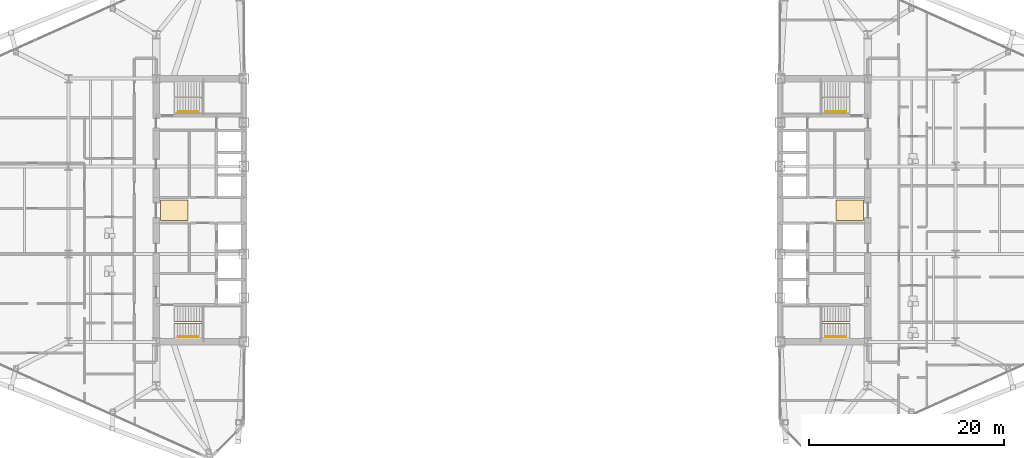
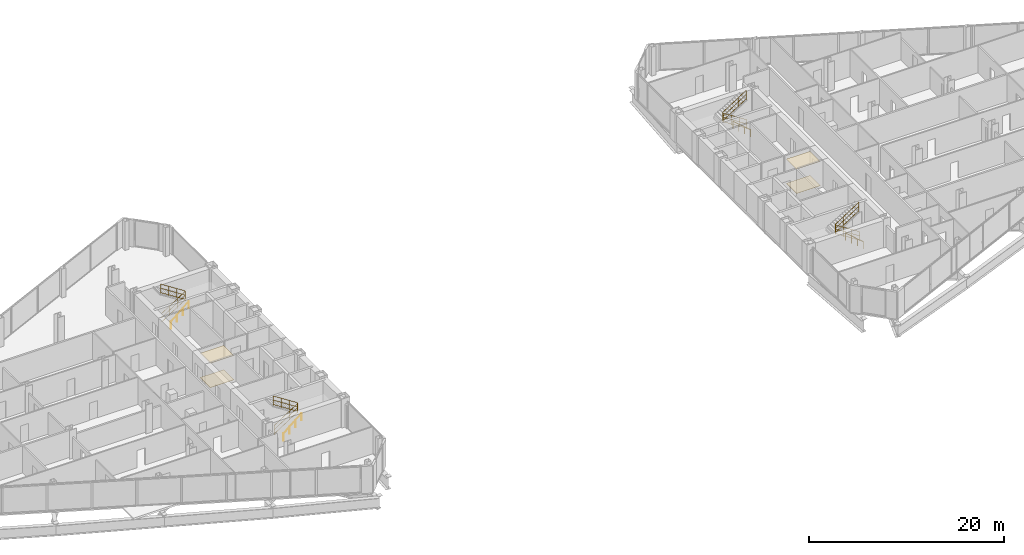
# One storey, part 28 of 29: 8 railings, 4 coverings.
"""IFC4 building model written with IfcOpenShell, lengths in metres."""

from ifc_helpers import new_model, si_unit, direction, frame, origin, origin_2d, place, context, subcontext, project, spatial, polyline, circle, outline, extrude, material, layer, layer_set, type_object, element, save


model = new_model("IFC4")

# Units and contexts
model_context = context("Model", 3, precision=1e-05, world=origin(), true_north=direction((0.0, 1.0)))
body_context = subcontext(model_context, "Body", "Model", "MODEL_VIEW")
ifc_project = project(units=[si_unit("LENGTHUNIT", "METRE"), si_unit("AREAUNIT", "SQUARE_METRE"), si_unit("VOLUMEUNIT", "CUBIC_METRE"), si_unit("PLANEANGLEUNIT", "RADIAN"), si_unit("MASSUNIT", "GRAM", prefix="KILO")], contexts=[model_context])

# Site, building, storey
site_placement = place(None, origin())
site = spatial("IfcSite", under=ifc_project, at=site_placement, CompositionType="ELEMENT")
building_placement = place(site_placement, origin())
building = spatial("IfcBuilding", under=site, at=building_placement, Name="Seokmaru Belvedere", CompositionType="ELEMENT")
storey_placement = place(building_placement, frame((0.0, 0.0, 62.10009765625)))
storey = spatial("IfcBuildingStorey", under=building, at=storey_placement, Name="L16", CompositionType="ELEMENT", Elevation=62.10009765625)

# Coverings
ifc_material_1 = material(Name="Engineered White Oak Timber", Category="wood")
ifc_layer_1 = layer(ifc_material_1, 0.02197265625)
ifc_layer_set_1 = layer_set([ifc_layer_1], Name="Engineered White Oak Timber")
covering_type_1 = type_object("IfcCoveringType", Name="Engineered Oak Residence Floor Finish 22", PredefinedType="FLOORING", material=ifc_layer_set_1)
covering_1_placement = place(storey_placement, origin())
element("IfcCovering", 1, at=covering_1_placement, inside=storey, type_object=covering_type_1, Name="L16 W Foyer Floor Finish", PredefinedType="FLOORING", context=body_context, shape_type="SweptSolid", body=[
    extrude(outline(polyline([(-36.050048828125, -1.050048828125), (-33.25, -1.050048828125), (-33.25, 1.050048828125), (-36.050048828125, 1.050048828125), (-36.050048828125, -1.050048828125)])), origin(), (0.0, 0.0, 1.0), 0.02197265625),
])
covering_2_placement = place(storey_placement, origin())
element("IfcCovering", 2, at=covering_2_placement, inside=storey, type_object=covering_type_1, Name="L16 E Foyer Floor Finish", PredefinedType="FLOORING", context=body_context, shape_type="SweptSolid", body=[
    extrude(outline(polyline([(33.25, -1.050048828125), (36.050048828125, -1.050048828125), (36.050048828125, 1.050048828125), (33.25, 1.050048828125), (33.25, -1.050048828125)])), origin(), (0.0, 0.0, 1.0), 0.02197265625),
])
ifc_material_2 = material(Name="Fire-Rated Gypsum Shaftwall")
ifc_layer_2 = layer(ifc_material_2, 0.02490234375)
ifc_layer_set_2 = layer_set([ifc_layer_2], Name="Fire-Rated Gypsum Shaftwall")
covering_type_2 = type_object("IfcCoveringType", Name="Perforated Acoustic Gypsum Suspended Ceiling 25", PredefinedType="CEILING", material=ifc_layer_set_2)
covering_3_placement = place(storey_placement, frame((0.0, 0.0, 3.02978515625)))
element("IfcCovering", 3, at=covering_3_placement, inside=storey, type_object=covering_type_2, Name="L16 W Lift Foyer Acoustic Ceiling", PredefinedType="CEILING", context=body_context, shape_type="SweptSolid", body=[
    extrude(outline(polyline([(-36.050048828125, -1.050048828125), (-33.25, -1.050048828125), (-33.25, 1.050048828125), (-36.050048828125, 1.050048828125), (-36.050048828125, -1.050048828125)])), origin(), (0.0, 0.0, 1.0), 0.025146484375),
])
covering_4_placement = place(storey_placement, frame((0.0, 0.0, 3.02978515625)))
element("IfcCovering", 4, at=covering_4_placement, inside=storey, type_object=covering_type_2, Name="L16 E Lift Foyer Acoustic Ceiling", PredefinedType="CEILING", context=body_context, shape_type="SweptSolid", body=[
    extrude(outline(polyline([(33.25, -1.050048828125), (36.050048828125, -1.050048828125), (36.050048828125, 1.050048828125), (33.25, 1.050048828125), (33.25, -1.050048828125)])), origin(), (0.0, 0.0, 1.0), 0.025146484375),
])

# Railings
ifc_material_3 = material(Name="Stainless Steel 316", Category="steel")
railing_type_1 = type_object("IfcRailingType", Name="Stainless Steel Wall and Flight Handrail 900", PredefinedType="HANDRAIL", material=ifc_material_3)
for number, where, name in (
    (5, (-34.25, -12.949951171875, 0.0), "L16 Stair ST-W1 Wall Handrail"),
    (6, (-34.25, 10.110107421875, 0.0), "L16 Stair ST-W2 Wall Handrail"),
):
    element("IfcRailing", number, at=place(storey_placement, frame(where)), inside=storey, type_object=railing_type_1, Name=name, PredefinedType="HANDRAIL", context=body_context, shape_type="SweptSolid", body=[
        extrude(circle(Radius=0.02392578125, at=origin_2d()), frame((0.0, 0.0, 0.8759765625), z_axis=(0.759306447245, 0.0, 0.650733216588), x_axis=(0.0, 1.0, 0.0)), (0.0, 0.0, 1.0), 2.765869140625),
        extrude(circle(Radius=0.02099609375, at=origin_2d()), origin(), (0.0, 0.0, 1.0), 0.851806640625),
        extrude(circle(Radius=0.02099609375, at=origin_2d()), frame((0.699951171875, 0.0, 0.599853515625)), (0.0, 0.0, 1.0), 0.851806640625),
        extrude(circle(Radius=0.02099609375, at=origin_2d()), frame((1.400146484375, 0.0, 1.199951171875)), (0.0, 0.0, 1.0), 0.851806640625),
        extrude(circle(Radius=0.02099609375, at=origin_2d()), frame((2.10009765625, 0.0, 1.7998046875)), (0.0, 0.0, 1.0), 0.851806640625),
    ])
for number, where, name in (
    (7, (34.25, -12.949951171875, 0.0), "L16 Stair ST-E1 Wall Handrail"),
    (8, (34.25, 10.110107421875, 0.0), "L16 Stair ST-E2 Wall Handrail"),
):
    element("IfcRailing", number, at=place(storey_placement, frame(where)), inside=storey, type_object=railing_type_1, Name=name, PredefinedType="HANDRAIL", context=body_context, shape_type="SweptSolid", body=[
        extrude(circle(Radius=0.02392578125, at=origin_2d()), frame((0.0, 0.0, 0.8759765625), z_axis=(-0.759306447245, 0.0, 0.650733216588), x_axis=(0.0, -1.0, 0.0)), (0.0, 0.0, 1.0), 2.765869140625),
        extrude(circle(Radius=0.02099609375, at=origin_2d()), origin(), (0.0, 0.0, 1.0), 0.851806640625),
        extrude(circle(Radius=0.02099609375, at=origin_2d()), frame((-0.699951171875, 0.0, 0.599853515625)), (0.0, 0.0, 1.0), 0.851806640625),
        extrude(circle(Radius=0.02099609375, at=origin_2d()), frame((-1.400146484375, 0.0, 1.199951171875)), (0.0, 0.0, 1.0), 0.851806640625),
        extrude(circle(Radius=0.02099609375, at=origin_2d()), frame((-2.10009765625, 0.0, 1.7998046875)), (0.0, 0.0, 1.0), 0.851806640625),
    ])
railing_type_2 = type_object("IfcRailingType", Name="Stair Well and Atrium Steel Guardrail 1200", PredefinedType="GUARDRAIL", material=ifc_material_3)
railing_1_placement = place(storey_placement, frame((-34.60009765625, -11.60009765625, 0.0)))
element("IfcRailing", 9, at=railing_1_placement, inside=storey, type_object=railing_type_2, Name="L16 Stair ST-W1 Inner Well Guardrail", PredefinedType="GUARDRAIL", context=body_context, shape_type="SweptSolid", body=[
    extrude(circle(Radius=0.02392578125, at=origin_2d()), frame((0.0, 0.0, 1.17578125), z_axis=(0.841209454229, 0.0, 0.540709398952), x_axis=(0.0, 1.0, 0.0)), (0.0, 0.0, 1.0), 3.32861328125),
    extrude(circle(Radius=0.02392578125, at=origin_2d()), frame((0.0, 0.0, 0.1201171875), z_axis=(0.841209454229, 0.0, 0.540709398952), x_axis=(0.0, 1.0, 0.0)), (0.0, 0.0, 1.0), 3.32861328125),
    extrude(circle(Radius=0.02392578125, at=origin_2d()), frame((0.0, 0.0, 0.659912109375), z_axis=(0.841209454229, 0.0, 0.540709398952), x_axis=(0.0, 1.0, 0.0)), (0.0, 0.0, 1.0), 3.32861328125),
    extrude(circle(Radius=0.02392578125, at=origin_2d()), frame((2.800048828125, 0.0, 2.9755859375), z_axis=(0.0, 1.0, 0.0), x_axis=(-1.0, 0.0, 0.0)), (0.0, 0.0, 1.0), 0.14013671875),
    extrude(circle(Radius=0.02392578125, at=origin_2d()), frame((2.800048828125, 0.0, 1.919921875), z_axis=(0.0, 1.0, 0.0), x_axis=(-1.0, 0.0, 0.0)), (0.0, 0.0, 1.0), 0.14013671875),
    extrude(circle(Radius=0.02392578125, at=origin_2d()), frame((2.800048828125, 0.0, 2.459716796875), z_axis=(0.0, 1.0, 0.0), x_axis=(-1.0, 0.0, 0.0)), (0.0, 0.0, 1.0), 0.14013671875),
    extrude(circle(Radius=0.02392578125, at=origin_2d()), frame((2.800048828125, 0.14013671875, 2.9755859375), z_axis=(-0.841176092368, 0.0, 0.540761298198), x_axis=(0.0, -1.0, 0.0)), (0.0, 0.0, 1.0), 3.32861328125),
    extrude(circle(Radius=0.02392578125, at=origin_2d()), frame((2.800048828125, 0.14013671875, 1.919921875), z_axis=(-0.841176092368, 0.0, 0.540761298198), x_axis=(0.0, -1.0, 0.0)), (0.0, 0.0, 1.0), 3.32861328125),
    extrude(circle(Radius=0.02392578125, at=origin_2d()), frame((2.800048828125, 0.14013671875, 2.459716796875), z_axis=(-0.841176092368, 0.0, 0.540761298198), x_axis=(0.0, -1.0, 0.0)), (0.0, 0.0, 1.0), 3.32861328125),
    extrude(circle(Radius=0.02099609375, at=origin_2d()), origin(), (0.0, 0.0, 1.0), 1.15185546875),
    extrude(circle(Radius=0.02099609375, at=origin_2d()), frame((0.933349609375, 0.0, 0.599853515625)), (0.0, 0.0, 1.0), 1.15185546875),
    extrude(circle(Radius=0.02099609375, at=origin_2d()), frame((1.86669921875, 0.0, 1.199951171875)), (0.0, 0.0, 1.0), 1.15185546875),
    extrude(circle(Radius=0.02099609375, at=origin_2d()), frame((2.800048828125, 0.0, 1.7998046875)), (0.0, 0.0, 1.0), 1.15185546875),
    extrude(circle(Radius=0.02099609375, at=origin_2d()), frame((2.800048828125, 0.14013671875, 1.7998046875)), (0.0, 0.0, 1.0), 1.15185546875),
    extrude(circle(Radius=0.02099609375, at=origin_2d()), frame((1.86669921875, 0.14013671875, 2.39990234375)), (0.0, 0.0, 1.0), 1.15185546875),
    extrude(circle(Radius=0.02099609375, at=origin_2d()), frame((0.933349609375, 0.14013671875, 2.999755859375)), (0.0, 0.0, 1.0), 1.15185546875),
    extrude(circle(Radius=0.02099609375, at=origin_2d()), frame((0.0, 0.14013671875, 3.599853515625)), (0.0, 0.0, 1.0), 1.15185546875),
])
railing_2_placement = place(storey_placement, frame((-34.60009765625, 11.4599609375, 0.0)))
element("IfcRailing", 10, at=railing_2_placement, inside=storey, type_object=railing_type_2, Name="L16 Stair ST-W2 Inner Well Guardrail", PredefinedType="GUARDRAIL", context=body_context, shape_type="SweptSolid", body=[
    extrude(circle(Radius=0.02392578125, at=origin_2d()), frame((0.0, 0.0, 1.17578125), z_axis=(0.841209454229, 0.0, 0.540709398952), x_axis=(0.0, 1.0, 0.0)), (0.0, 0.0, 1.0), 3.32861328125),
    extrude(circle(Radius=0.02392578125, at=origin_2d()), frame((0.0, 0.0, 0.1201171875), z_axis=(0.841209454229, 0.0, 0.540709398952), x_axis=(0.0, 1.0, 0.0)), (0.0, 0.0, 1.0), 3.32861328125),
    extrude(circle(Radius=0.02392578125, at=origin_2d()), frame((0.0, 0.0, 0.659912109375), z_axis=(0.841209454229, 0.0, 0.540709398952), x_axis=(0.0, 1.0, 0.0)), (0.0, 0.0, 1.0), 3.32861328125),
    extrude(circle(Radius=0.02392578125, at=origin_2d()), frame((2.800048828125, 0.0, 2.9755859375), z_axis=(0.0, 1.0, 0.0), x_axis=(-1.0, 0.0, 0.0)), (0.0, 0.0, 1.0), 0.14013671875),
    extrude(circle(Radius=0.02392578125, at=origin_2d()), frame((2.800048828125, 0.0, 1.919921875), z_axis=(0.0, 1.0, 0.0), x_axis=(-1.0, 0.0, 0.0)), (0.0, 0.0, 1.0), 0.14013671875),
    extrude(circle(Radius=0.02392578125, at=origin_2d()), frame((2.800048828125, 0.0, 2.459716796875), z_axis=(0.0, 1.0, 0.0), x_axis=(-1.0, 0.0, 0.0)), (0.0, 0.0, 1.0), 0.14013671875),
    extrude(circle(Radius=0.02392578125, at=origin_2d()), frame((2.800048828125, 0.14013671875, 2.9755859375), z_axis=(-0.841176092368, 0.0, 0.540761298198), x_axis=(0.0, -1.0, 0.0)), (0.0, 0.0, 1.0), 3.32861328125),
    extrude(circle(Radius=0.02392578125, at=origin_2d()), frame((2.800048828125, 0.14013671875, 1.919921875), z_axis=(-0.841176092368, 0.0, 0.540761298198), x_axis=(0.0, -1.0, 0.0)), (0.0, 0.0, 1.0), 3.32861328125),
    extrude(circle(Radius=0.02392578125, at=origin_2d()), frame((2.800048828125, 0.14013671875, 2.459716796875), z_axis=(-0.841176092368, 0.0, 0.540761298198), x_axis=(0.0, -1.0, 0.0)), (0.0, 0.0, 1.0), 3.32861328125),
    extrude(circle(Radius=0.02099609375, at=origin_2d()), origin(), (0.0, 0.0, 1.0), 1.15185546875),
    extrude(circle(Radius=0.02099609375, at=origin_2d()), frame((0.933349609375, 0.0, 0.599853515625)), (0.0, 0.0, 1.0), 1.15185546875),
    extrude(circle(Radius=0.02099609375, at=origin_2d()), frame((1.86669921875, 0.0, 1.199951171875)), (0.0, 0.0, 1.0), 1.15185546875),
    extrude(circle(Radius=0.02099609375, at=origin_2d()), frame((2.800048828125, 0.0, 1.7998046875)), (0.0, 0.0, 1.0), 1.15185546875),
    extrude(circle(Radius=0.02099609375, at=origin_2d()), frame((2.800048828125, 0.14013671875, 1.7998046875)), (0.0, 0.0, 1.0), 1.15185546875),
    extrude(circle(Radius=0.02099609375, at=origin_2d()), frame((1.86669921875, 0.14013671875, 2.39990234375)), (0.0, 0.0, 1.0), 1.15185546875),
    extrude(circle(Radius=0.02099609375, at=origin_2d()), frame((0.933349609375, 0.14013671875, 2.999755859375)), (0.0, 0.0, 1.0), 1.15185546875),
    extrude(circle(Radius=0.02099609375, at=origin_2d()), frame((0.0, 0.14013671875, 3.599853515625)), (0.0, 0.0, 1.0), 1.15185546875),
])
railing_3_placement = place(storey_placement, frame((34.60009765625, -11.60009765625, 0.0)))
element("IfcRailing", 11, at=railing_3_placement, inside=storey, type_object=railing_type_2, Name="L16 Stair ST-E1 Inner Well Guardrail", PredefinedType="GUARDRAIL", context=body_context, shape_type="SweptSolid", body=[
    extrude(circle(Radius=0.02392578125, at=origin_2d()), frame((0.0, 0.0, 1.17578125), z_axis=(-0.841209454229, 0.0, 0.540709398952), x_axis=(0.0, -1.0, 0.0)), (0.0, 0.0, 1.0), 3.32861328125),
    extrude(circle(Radius=0.02392578125, at=origin_2d()), frame((0.0, 0.0, 0.1201171875), z_axis=(-0.841209454229, 0.0, 0.540709398952), x_axis=(0.0, -1.0, 0.0)), (0.0, 0.0, 1.0), 3.32861328125),
    extrude(circle(Radius=0.02392578125, at=origin_2d()), frame((0.0, 0.0, 0.659912109375), z_axis=(-0.841209454229, 0.0, 0.540709398952), x_axis=(0.0, -1.0, 0.0)), (0.0, 0.0, 1.0), 3.32861328125),
    extrude(circle(Radius=0.02392578125, at=origin_2d()), frame((-2.800048828125, 0.0, 2.9755859375), z_axis=(0.0, 1.0, 0.0), x_axis=(-1.0, 0.0, 0.0)), (0.0, 0.0, 1.0), 0.14013671875),
    extrude(circle(Radius=0.02392578125, at=origin_2d()), frame((-2.800048828125, 0.0, 1.919921875), z_axis=(0.0, 1.0, 0.0), x_axis=(-1.0, 0.0, 0.0)), (0.0, 0.0, 1.0), 0.14013671875),
    extrude(circle(Radius=0.02392578125, at=origin_2d()), frame((-2.800048828125, 0.0, 2.459716796875), z_axis=(0.0, 1.0, 0.0), x_axis=(-1.0, 0.0, 0.0)), (0.0, 0.0, 1.0), 0.14013671875),
    extrude(circle(Radius=0.02392578125, at=origin_2d()), frame((-2.800048828125, 0.14013671875, 2.9755859375), z_axis=(0.841176092368, 0.0, 0.540761298198), x_axis=(0.0, 1.0, 0.0)), (0.0, 0.0, 1.0), 3.32861328125),
    extrude(circle(Radius=0.02392578125, at=origin_2d()), frame((-2.800048828125, 0.14013671875, 1.919921875), z_axis=(0.841176092368, 0.0, 0.540761298198), x_axis=(0.0, 1.0, 0.0)), (0.0, 0.0, 1.0), 3.32861328125),
    extrude(circle(Radius=0.02392578125, at=origin_2d()), frame((-2.800048828125, 0.14013671875, 2.459716796875), z_axis=(0.841176092368, 0.0, 0.540761298198), x_axis=(0.0, 1.0, 0.0)), (0.0, 0.0, 1.0), 3.32861328125),
    extrude(circle(Radius=0.02099609375, at=origin_2d()), origin(), (0.0, 0.0, 1.0), 1.15185546875),
    extrude(circle(Radius=0.02099609375, at=origin_2d()), frame((-0.933349609375, 0.0, 0.599853515625)), (0.0, 0.0, 1.0), 1.15185546875),
    extrude(circle(Radius=0.02099609375, at=origin_2d()), frame((-1.86669921875, 0.0, 1.199951171875)), (0.0, 0.0, 1.0), 1.15185546875),
    extrude(circle(Radius=0.02099609375, at=origin_2d()), frame((-2.800048828125, 0.0, 1.7998046875)), (0.0, 0.0, 1.0), 1.15185546875),
    extrude(circle(Radius=0.02099609375, at=origin_2d()), frame((-2.800048828125, 0.14013671875, 1.7998046875)), (0.0, 0.0, 1.0), 1.15185546875),
    extrude(circle(Radius=0.02099609375, at=origin_2d()), frame((-1.86669921875, 0.14013671875, 2.39990234375)), (0.0, 0.0, 1.0), 1.15185546875),
    extrude(circle(Radius=0.02099609375, at=origin_2d()), frame((-0.933349609375, 0.14013671875, 2.999755859375)), (0.0, 0.0, 1.0), 1.15185546875),
    extrude(circle(Radius=0.02099609375, at=origin_2d()), frame((0.0, 0.14013671875, 3.599853515625)), (0.0, 0.0, 1.0), 1.15185546875),
])
railing_4_placement = place(storey_placement, frame((34.60009765625, 11.4599609375, 0.0)))
element("IfcRailing", 12, at=railing_4_placement, inside=storey, type_object=railing_type_2, Name="L16 Stair ST-E2 Inner Well Guardrail", PredefinedType="GUARDRAIL", context=body_context, shape_type="SweptSolid", body=[
    extrude(circle(Radius=0.02392578125, at=origin_2d()), frame((0.0, 0.0, 1.17578125), z_axis=(-0.841209454229, 0.0, 0.540709398952), x_axis=(0.0, -1.0, 0.0)), (0.0, 0.0, 1.0), 3.32861328125),
    extrude(circle(Radius=0.02392578125, at=origin_2d()), frame((0.0, 0.0, 0.1201171875), z_axis=(-0.841209454229, 0.0, 0.540709398952), x_axis=(0.0, -1.0, 0.0)), (0.0, 0.0, 1.0), 3.32861328125),
    extrude(circle(Radius=0.02392578125, at=origin_2d()), frame((0.0, 0.0, 0.659912109375), z_axis=(-0.841209454229, 0.0, 0.540709398952), x_axis=(0.0, -1.0, 0.0)), (0.0, 0.0, 1.0), 3.32861328125),
    extrude(circle(Radius=0.02392578125, at=origin_2d()), frame((-2.800048828125, 0.0, 2.9755859375), z_axis=(0.0, 1.0, 0.0), x_axis=(-1.0, 0.0, 0.0)), (0.0, 0.0, 1.0), 0.14013671875),
    extrude(circle(Radius=0.02392578125, at=origin_2d()), frame((-2.800048828125, 0.0, 1.919921875), z_axis=(0.0, 1.0, 0.0), x_axis=(-1.0, 0.0, 0.0)), (0.0, 0.0, 1.0), 0.14013671875),
    extrude(circle(Radius=0.02392578125, at=origin_2d()), frame((-2.800048828125, 0.0, 2.459716796875), z_axis=(0.0, 1.0, 0.0), x_axis=(-1.0, 0.0, 0.0)), (0.0, 0.0, 1.0), 0.14013671875),
    extrude(circle(Radius=0.02392578125, at=origin_2d()), frame((-2.800048828125, 0.14013671875, 2.9755859375), z_axis=(0.841176092368, 0.0, 0.540761298198), x_axis=(0.0, 1.0, 0.0)), (0.0, 0.0, 1.0), 3.32861328125),
    extrude(circle(Radius=0.02392578125, at=origin_2d()), frame((-2.800048828125, 0.14013671875, 1.919921875), z_axis=(0.841176092368, 0.0, 0.540761298198), x_axis=(0.0, 1.0, 0.0)), (0.0, 0.0, 1.0), 3.32861328125),
    extrude(circle(Radius=0.02392578125, at=origin_2d()), frame((-2.800048828125, 0.14013671875, 2.459716796875), z_axis=(0.841176092368, 0.0, 0.540761298198), x_axis=(0.0, 1.0, 0.0)), (0.0, 0.0, 1.0), 3.32861328125),
    extrude(circle(Radius=0.02099609375, at=origin_2d()), origin(), (0.0, 0.0, 1.0), 1.15185546875),
    extrude(circle(Radius=0.02099609375, at=origin_2d()), frame((-0.933349609375, 0.0, 0.599853515625)), (0.0, 0.0, 1.0), 1.15185546875),
    extrude(circle(Radius=0.02099609375, at=origin_2d()), frame((-1.86669921875, 0.0, 1.199951171875)), (0.0, 0.0, 1.0), 1.15185546875),
    extrude(circle(Radius=0.02099609375, at=origin_2d()), frame((-2.800048828125, 0.0, 1.7998046875)), (0.0, 0.0, 1.0), 1.15185546875),
    extrude(circle(Radius=0.02099609375, at=origin_2d()), frame((-2.800048828125, 0.14013671875, 1.7998046875)), (0.0, 0.0, 1.0), 1.15185546875),
    extrude(circle(Radius=0.02099609375, at=origin_2d()), frame((-1.86669921875, 0.14013671875, 2.39990234375)), (0.0, 0.0, 1.0), 1.15185546875),
    extrude(circle(Radius=0.02099609375, at=origin_2d()), frame((-0.933349609375, 0.14013671875, 2.999755859375)), (0.0, 0.0, 1.0), 1.15185546875),
    extrude(circle(Radius=0.02099609375, at=origin_2d()), frame((0.0, 0.14013671875, 3.599853515625)), (0.0, 0.0, 1.0), 1.15185546875),
])

save(model, "model.ifc")
